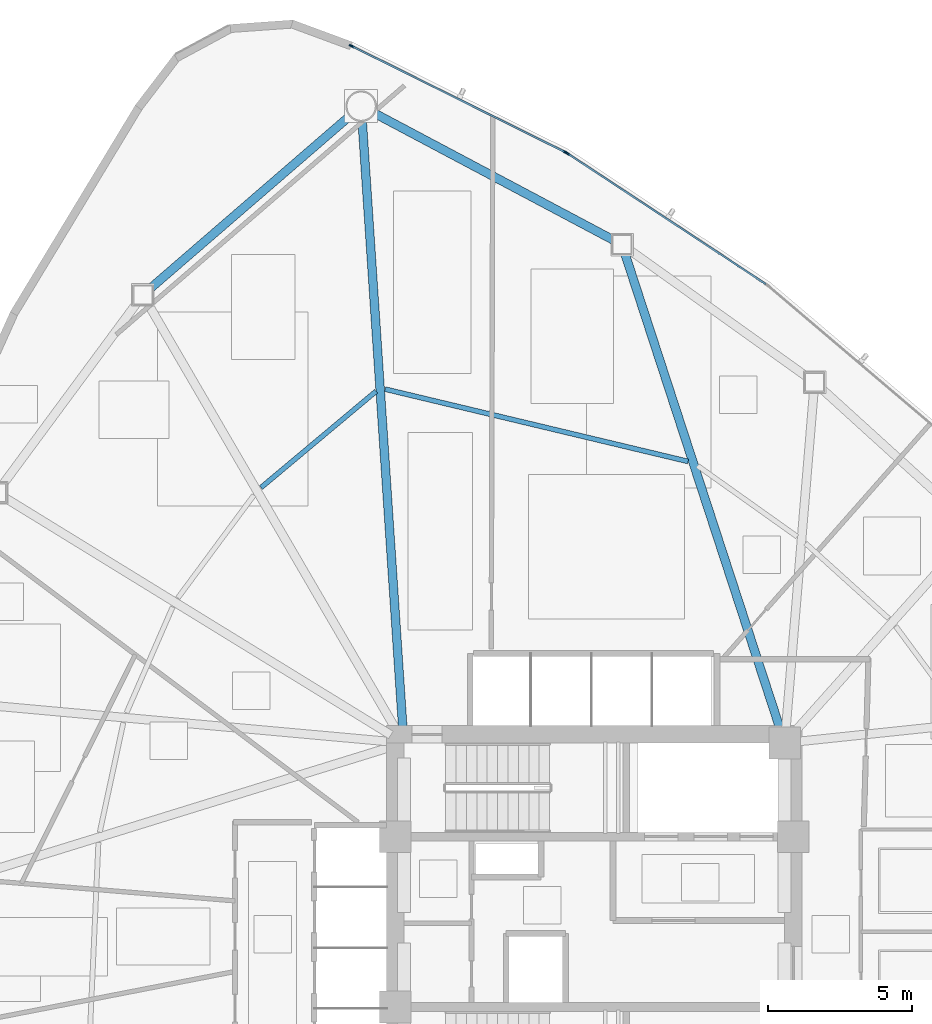
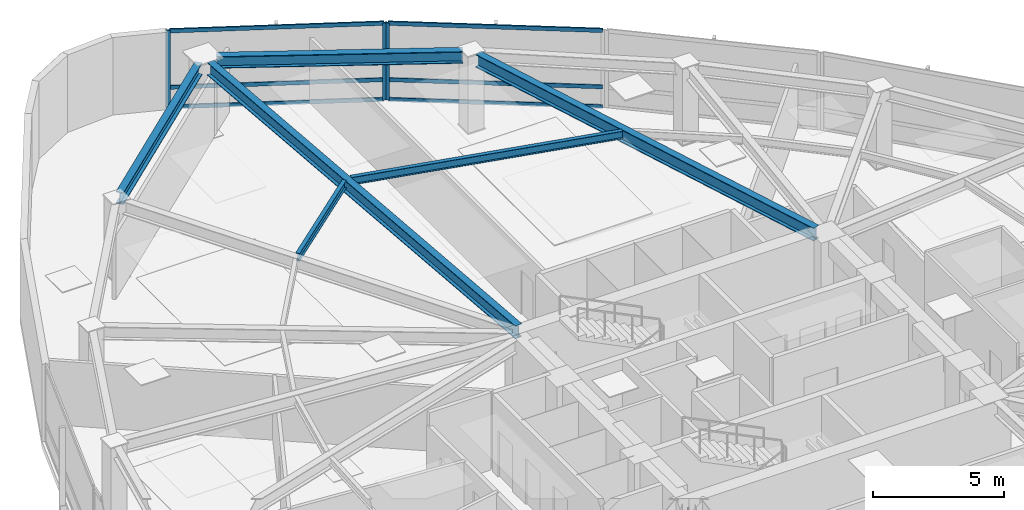
# One storey, part 8 of 17: 9 members, 6 beams, 2 elements without a shape of their own.
"""IFC4 building model written with IfcOpenShell, lengths in metres."""

import ifcopenshell
import ifcopenshell.guid

model = None  # the IFC model being written
_history = None  # IfcOwnerHistory: only IFC2X3 demands one
_inside = {}  # id of a spatial element -> (the spatial element, [elements in it])
_under = {}  # id of a project, library or spatial element -> (it, [spatial elements below it])
_declared = {}  # id of a project -> (the project, [libraries it declares])
_typed = {}  # id of a type object -> (the type object, [elements of that type])
_made_of = {}  # id of a material, layer set ... -> (it, [elements and type objects made of it])


def new_model(schema):
    """Start an empty IFC model of exactly this schema.

    Asked for "IFC4X3", IfcOpenShell would pick the latest addendum, in which some entities
    have other attributes; the version numbers below select the first issue.
    IFC2X3 requires an IfcOwnerHistory on every rooted entity: one is made here for all.
    """
    global model, _history
    if schema == "IFC4X3":
        model = ifcopenshell.file(schema_version=(4, 3, 0, 0))
    else:
        model = ifcopenshell.file(schema=schema)
    _inside.clear()
    _under.clear()
    _declared.clear()
    _typed.clear()
    _made_of.clear()
    _history = None
    if model.schema == "IFC2X3":
        org = make("IfcOrganization", Name="unknown")
        user = make(
            "IfcPersonAndOrganization",
            ThePerson=make("IfcPerson", FamilyName="unknown"),
            TheOrganization=org,
        )
        app = make(
            "IfcApplication",
            ApplicationDeveloper=org,
            Version="unknown",
            ApplicationFullName="unknown",
            ApplicationIdentifier="unknown",
        )
        _history = make(
            "IfcOwnerHistory",
            OwningUser=user,
            OwningApplication=app,
            ChangeAction="ADDED",
            CreationDate=0,
        )
    return model


def make(cls, **values):
    """One entity of the class cls with the attributes given. An attribute that is None is left unset."""
    return model.create_entity(
        cls, **{name: value for name, value in values.items() if value is not None}
    )


def rooted(cls, **values):
    """An entity with a GlobalId (a new one), such as an element, a storey or a relation."""
    return make(cls, GlobalId=ifcopenshell.guid.new(), OwnerHistory=_history, **values)


def si_unit(unit_type, name, prefix=None):
    """IfcSIUnit, for example si_unit("LENGTHUNIT", "METRE", prefix="MILLI")."""
    return make("IfcSIUnit", UnitType=unit_type, Prefix=prefix, Name=name)


def assignment(units):
    """IfcUnitAssignment: the units of a project."""
    return None if units is None else make("IfcUnitAssignment", Units=units)


def point(xyz):
    """IfcCartesianPoint."""
    return None if xyz is None else make("IfcCartesianPoint", Coordinates=xyz)


def direction(xyz):
    """IfcDirection."""
    return None if xyz is None else make("IfcDirection", DirectionRatios=xyz)


def frame(location, z_axis=None, x_axis=None):
    """IfcAxis2Placement3D, a coordinate frame: its origin and axes. An axis left out is left unset."""
    return make(
        "IfcAxis2Placement3D",
        Location=point(location),
        Axis=direction(z_axis),
        RefDirection=direction(x_axis),
    )


def frame_2d(location, x_axis=None):
    """IfcAxis2Placement2D, a coordinate frame in the plane: its origin and x axis."""
    return make(
        "IfcAxis2Placement2D", Location=point(location), RefDirection=direction(x_axis)
    )


def origin():
    """The frame at (0, 0, 0) with its axes left unset."""
    return frame((0.0, 0.0, 0.0))


def origin_2d():
    """The frame at (0, 0) in the plane with its x axis left unset."""
    return frame_2d((0.0, 0.0))


def place(relative_to, where):
    """IfcLocalPlacement: puts the frame where relative to a parent placement (None: the world)."""
    return make(
        "IfcLocalPlacement", PlacementRelTo=relative_to, RelativePlacement=where
    )


def context(
    kind, dimensions, precision=None, world=None, true_north=None, identifier=None
):
    """IfcGeometricRepresentationContext, for example the 3D "Model" context."""
    return make(
        "IfcGeometricRepresentationContext",
        ContextIdentifier=identifier,
        ContextType=kind,
        CoordinateSpaceDimension=dimensions,
        Precision=precision,
        WorldCoordinateSystem=world,
        TrueNorth=true_north,
    )


def subcontext(parent, identifier, kind, view, scale=None):
    """IfcGeometricRepresentationSubContext, for example "Body" below "Model"."""
    return make(
        "IfcGeometricRepresentationSubContext",
        ContextIdentifier=identifier,
        ContextType=kind,
        ParentContext=parent,
        TargetScale=scale,
        TargetView=view,
    )


def project(units=None, contexts=None):
    """IfcProject with its units and contexts."""
    return rooted(
        "IfcProject",
        Name="project",
        RepresentationContexts=contexts,
        UnitsInContext=assignment(units),
    )


def spatial(cls, under=None, at=None, **own):
    """A site, building, storey or space (cls), placed at a placement, below another one or the project."""
    s = rooted(cls, ObjectPlacement=at, **own)
    if under is not None:
        _under.setdefault(under.id(), (under, []))[1].append(s)
    return s


def profile(cls, at=None, kind="AREA", **sizes):
    """A parametric profile (cls). Its sizes go by their IFC names, for example OverallWidth=200.0."""
    return make(cls, ProfileType=kind, Position=at, **sizes)


def hollow_rectangle(**sizes):
    """IfcRectangleHollowProfileDef."""
    return profile("IfcRectangleHollowProfileDef", **sizes)


def i_section(**sizes):
    """IfcIShapeProfileDef."""
    return profile("IfcIShapeProfileDef", **sizes)


def extrude(swept, where, along, depth):
    """IfcExtrudedAreaSolid: the profile swept, set in the frame where, extruded along a direction by depth."""
    return make(
        "IfcExtrudedAreaSolid",
        SweptArea=swept,
        Position=where,
        ExtrudedDirection=direction(along),
        Depth=depth,
    )


def shape(context_of_items, identifier, shape_type, items):
    """IfcShapeRepresentation: the items that make up one representation, for example the "Body"."""
    return make(
        "IfcShapeRepresentation",
        ContextOfItems=context_of_items,
        RepresentationIdentifier=identifier,
        RepresentationType=shape_type,
        Items=items,
    )


def source(mapping_origin, context_of_items, identifier, shape_type, items):
    """IfcRepresentationMap: a shape defined once, which mapped items show again and again."""
    return make(
        "IfcRepresentationMap",
        MappingOrigin=mapping_origin,
        MappedRepresentation=shape(context_of_items, identifier, shape_type, items),
    )


def transform(
    local_origin,
    x_axis=None,
    y_axis=None,
    z_axis=None,
    scale=None,
    scale2=None,
    scale3=None,
    uniform=True,
):
    """IfcCartesianTransformationOperator3D, or its non-uniform kind. x_axis, y_axis, z_axis: its Axis1, 2, 3."""
    if uniform:
        return make(
            "IfcCartesianTransformationOperator3D",
            Axis1=direction(x_axis),
            Axis2=direction(y_axis),
            LocalOrigin=point(local_origin),
            Scale=scale,
            Axis3=direction(z_axis),
        )
    return make(
        "IfcCartesianTransformationOperator3DnonUniform",
        Axis1=direction(x_axis),
        Axis2=direction(y_axis),
        LocalOrigin=point(local_origin),
        Scale=scale,
        Axis3=direction(z_axis),
        Scale2=scale2,
        Scale3=scale3,
    )


def mapped(mapping_source, mapping_target):
    """IfcMappedItem: shows the shape of a source again, moved by a transform."""
    return make(
        "IfcMappedItem", MappingSource=mapping_source, MappingTarget=mapping_target
    )


def material(Name=None, Category=None):
    """IfcMaterial."""
    return make("IfcMaterial", Name=Name, Category=Category)


def layer(
    of_material, thickness, ventilated=None, Name=None, Category=None, Priority=None
):
    """IfcMaterialLayer: one layer of a wall or slab, of a material (None: an air gap)."""
    return make(
        "IfcMaterialLayer",
        Material=of_material,
        LayerThickness=thickness,
        IsVentilated=ventilated,
        Name=Name,
        Category=Category,
        Priority=Priority,
    )


def layer_set(layers, Name=None):
    """IfcMaterialLayerSet."""
    return make("IfcMaterialLayerSet", MaterialLayers=layers, LayerSetName=Name)


def material_profile(
    of_material, cross_section, Name=None, Category=None, Priority=None
):
    """IfcMaterialProfile: a cross section and its material."""
    return make(
        "IfcMaterialProfile",
        Name=Name,
        Material=of_material,
        Profile=cross_section,
        Priority=Priority,
        Category=Category,
    )


def profile_set(profiles, Name=None, composite=None):
    """IfcMaterialProfileSet."""
    return make(
        "IfcMaterialProfileSet",
        Name=Name,
        MaterialProfiles=profiles,
        CompositeProfile=composite,
    )


def made_of(thing, what):
    """Note that an element or type object is made of a material, layer set ...; save() writes the relation."""
    if what is not None:
        _made_of.setdefault(what.id(), (what, []))[1].append(thing)
    return thing


def type_object(cls, material=None, **own):
    """A type object (cls), such as IfcWallType, which elements share."""
    return made_of(rooted(cls, **own), material)


def type_shapes(of_type, sources):
    """Give a type object the sources (RepresentationMaps) that its elements show as mapped items."""
    of_type.RepresentationMaps = sources


def element(
    cls,
    number,
    at=None,
    inside=None,
    cuts=None,
    type_object=None,
    material=None,
    context=None,
    identifier="Body",
    shape_type=None,
    held_by="IfcProductDefinitionShape",
    body=None,
    shapes=None,
    **own,
):
    """One element of the class cls, such as IfcWall. Its Tag is "e" and its number.

    at: its placement. inside: the storey or other place that contains it. cuts: it is an
    opening in that element (IfcRelVoidsElement). A single representation is given by context,
    identifier, shape_type and body (its items); several are given by shapes. held_by: the class
    of the entity that holds the representations. save() writes the other relations.
    """
    e = rooted(cls, Tag="e%d" % number, ObjectPlacement=at, **own)
    if body is not None:
        shapes = [shape(context, identifier, shape_type, body)]
    if shapes is not None:
        e.Representation = make(held_by, Representations=shapes)
    if inside is not None:
        _inside.setdefault(inside.id(), (inside, []))[1].append(e)
    if cuts is not None:
        rooted(
            "IfcRelVoidsElement", RelatingBuildingElement=cuts, RelatedOpeningElement=e
        )
    if type_object is not None:
        _typed.setdefault(type_object.id(), (type_object, []))[1].append(e)
    return made_of(e, material)


def aggregate(whole, parts):
    """IfcRelAggregates: a whole, such as a stair, and the parts it consists of."""
    return rooted("IfcRelAggregates", RelatingObject=whole, RelatedObjects=parts)


def save(model, path):
    """Write the relations noted so far, then the file.

    IfcRelAggregates (storeys below a building ...), IfcRelContainedInSpatialStructure (elements
    in a storey), IfcRelDefinesByType, IfcRelAssociatesMaterial and IfcRelDeclares: one each for
    every whole, place, type object, material and project.
    """
    for whole, parts in _under.values():
        aggregate(whole, parts)
    for where, things in _inside.values():
        rooted(
            "IfcRelContainedInSpatialStructure",
            RelatedElements=things,
            RelatingStructure=where,
        )
    for kind, things in _typed.values():
        rooted("IfcRelDefinesByType", RelatedObjects=things, RelatingType=kind)
    for what, things in _made_of.values():
        rooted("IfcRelAssociatesMaterial", RelatedObjects=things, RelatingMaterial=what)
    for by, libraries in _declared.values():
        rooted("IfcRelDeclares", RelatingContext=by, RelatedDefinitions=libraries)
    model.write(path)


model = new_model("IFC4")

# Units and contexts
model_context = context("Model", 3, precision=1e-05, world=origin(), true_north=direction((0.0, 1.0)))
body_context = subcontext(model_context, "Body", "Model", "MODEL_VIEW")
ifc_project = project(units=[si_unit("LENGTHUNIT", "METRE"), si_unit("AREAUNIT", "SQUARE_METRE"), si_unit("VOLUMEUNIT", "CUBIC_METRE"), si_unit("PLANEANGLEUNIT", "RADIAN"), si_unit("MASSUNIT", "GRAM", prefix="KILO")], contexts=[model_context])

# Site, building, storey
site_placement = place(None, origin())
site = spatial("IfcSite", under=ifc_project, at=site_placement, CompositionType="ELEMENT")
building_placement = place(site_placement, origin())
building = spatial("IfcBuilding", under=site, at=building_placement, Name="Tavelor Broadcast Tower", CompositionType="ELEMENT")
storey_placement = place(building_placement, frame((0.0, 0.0, 93.89990234375)))
storey = spatial("IfcBuildingStorey", under=building, at=storey_placement, Name="L22", CompositionType="ELEMENT", Elevation=93.89990234375)

# Beams
ifc_material_1 = material(Name="Steel S355", Category="steel")
ifc_material_profile_1 = material_profile(ifc_material_1, i_section(OverallWidth=0.169921875, OverallDepth=0.360107421875, WebThickness=0.008056640625, FlangeThickness=0.0126953125, at=origin_2d()), Name="IPE 360")
ifc_profile_set_1 = profile_set([ifc_material_profile_1], Name="Steel S355")
beam_type_1 = type_object("IfcBeamType", Name="Composite Floor Joist T2 IPE 360", PredefinedType="JOIST", material=ifc_profile_set_1)
beam_1_placement = place(storey_placement, frame((42.437744140625, 63.38671875, 3.420166015625), z_axis=(-0.766764124222, -0.641928950746, 0.0), x_axis=(0.641928950746, -0.766764124222, 0.0)))
element("IfcBeam", 1, at=beam_1_placement, inside=storey, type_object=beam_type_1, Name="L22 Secondary Composite Floor Joist 01", PredefinedType="JOIST", context=body_context, shape_type="SweptSolid", body=[
    extrude(i_section(OverallWidth=0.169921875, OverallDepth=0.360107421875, WebThickness=0.008056640625, FlangeThickness=0.0126953125, at=origin_2d()), origin(), (0.0, 0.0, 1.0), 5.1982421875),
])
beam_2_placement = place(storey_placement, frame((53.252685546875, 60.954345703125, 3.420166015625), z_axis=(-0.97267356202, 0.232176962139, 0.0), x_axis=(-0.232176962139, -0.97267356202, 0.0)))
element("IfcBeam", 2, at=beam_2_placement, inside=storey, type_object=beam_type_1, Name="L22 Secondary Composite Floor Joist 18", PredefinedType="JOIST", context=body_context, shape_type="SweptSolid", body=[
    extrude(i_section(OverallWidth=0.169921875, OverallDepth=0.360107421875, WebThickness=0.008056640625, FlangeThickness=0.0126953125, at=origin_2d()), origin(), (0.0, 0.0, 1.0), 10.794921875),
])
ifc_material_profile_2 = material_profile(ifc_material_1, i_section(OverallWidth=0.300048828125, OverallDepth=0.550048828125, WebThickness=0.014892578125, FlangeThickness=0.029052734375, at=origin_2d()), Name="HEB 550")
ifc_profile_set_2 = profile_set([ifc_material_profile_2], Name="Steel S355")
beam_type_2 = type_object("IfcBeamType", Name="Perimeter Spandrel Beam T2 HEB 550", PredefinedType="SPANDREL", material=ifc_profile_set_2)
beam_3_placement = place(storey_placement, frame((41.535400390625, 72.931396484375, 3.3251953125), z_axis=(-0.756652037371, -0.653817783746, 0.0), x_axis=(0.653817783746, -0.756652037371, 0.0)))
element("IfcBeam", 3, at=beam_3_placement, inside=storey, type_object=beam_type_2, Name="L22 Framed-Tube Ring Spandrel 01", PredefinedType="SPANDREL", context=body_context, shape_type="SweptSolid", body=[
    extrude(i_section(OverallWidth=0.300048828125, OverallDepth=0.550048828125, WebThickness=0.014892578125, FlangeThickness=0.029052734375, at=origin_2d()), origin(), (0.0, 0.0, 1.0), 9.15234375),
])
beam_4_placement = place(storey_placement, frame((50.6650390625, 68.626220703125, 3.3251953125), z_axis=(-0.883288784051, 0.468829312192, 0.0), x_axis=(-0.468829312192, -0.883288784051, 0.0)))
element("IfcBeam", 4, at=beam_4_placement, inside=storey, type_object=beam_type_2, Name="L22 Framed-Tube Ring Spandrel 18", PredefinedType="SPANDREL", context=body_context, shape_type="SweptSolid", body=[
    extrude(i_section(OverallWidth=0.300048828125, OverallDepth=0.550048828125, WebThickness=0.014892578125, FlangeThickness=0.029052734375, at=origin_2d()), origin(), (0.0, 0.0, 1.0), 9.384765625),
])
ifc_material_profile_3 = material_profile(ifc_material_1, i_section(OverallWidth=0.300048828125, OverallDepth=0.60009765625, WebThickness=0.015380859375, FlangeThickness=0.030029296875, at=origin_2d()), Name="HEB 600")
ifc_profile_set_3 = profile_set([ifc_material_profile_3], Name="Steel S355")
beam_type_3 = type_object("IfcBeamType", Name="Radial Floor Girder T2 HEB 600", PredefinedType="BEAM", material=ifc_profile_set_3)
beam_5_placement = place(storey_placement, frame((43.36474609375, 51.726806640625, 3.300048828125), z_axis=(-0.066782727419, 0.997767541724, 0.0), x_axis=(-0.997767541724, -0.066782727419, 0.0)))
element("IfcBeam", 5, at=beam_5_placement, inside=storey, type_object=beam_type_3, Name="L22 Radial Primary Floor Girder 01", PredefinedType="BEAM", context=body_context, shape_type="SweptSolid", body=[
    extrude(i_section(OverallWidth=0.300048828125, OverallDepth=0.60009765625, WebThickness=0.015380859375, FlangeThickness=0.030029296875, at=origin_2d()), origin(), (0.0, 0.0, 1.0), 21.075439453125),
])
beam_6_placement = place(storey_placement, frame((56.43603515625, 51.701904296875, 3.300048828125), z_axis=(-0.310367170997, 0.950616757251, 0.0), x_axis=(-0.950616757251, -0.310367170997, 0.0)))
element("IfcBeam", 6, at=beam_6_placement, inside=storey, type_object=beam_type_3, Name="L22 Radial Primary Floor Girder 18", PredefinedType="BEAM", context=body_context, shape_type="SweptSolid", body=[
    extrude(i_section(OverallWidth=0.300048828125, OverallDepth=0.60009765625, WebThickness=0.015380859375, FlangeThickness=0.030029296875, at=origin_2d()), origin(), (0.0, 0.0, 1.0), 17.3017578125),
])

# Curtain wall, member
ifc_material_2 = material(Name="Architectural Anodized Aluminium", Category="aluminium")
ifc_layer = layer(ifc_material_2, 0.179931640625)
ifc_layer_set = layer_set([ifc_layer], Name="Architectural Anodized Aluminium")
curtain_wall_type = type_object("IfcCurtainWallType", Name="Tower Low-Zone Unitised Curtain Wall CW02", PredefinedType="NOTDEFINED", material=ifc_layer_set)
curtain_wall_1_placement = place(storey_placement, origin())
curtain_wall_1 = element("IfcCurtainWall", 7, at=curtain_wall_1_placement, inside=storey, type_object=curtain_wall_type, Name="L22 Curtain Wall CW02 Run 227", PredefinedType="NOTDEFINED")
ifc_material_profile_4 = material_profile(ifc_material_2, hollow_rectangle(XDim=0.06494140625, YDim=0.179931640625, WallThickness=0.02197265625, at=origin_2d()), Name="RHS 65x180x22")
ifc_profile_set_4 = profile_set([ifc_material_profile_4], Name="Architectural Anodized Aluminium")
member_type_1 = type_object("IfcMemberType", Name="CW02 Extruded Aluminium Mullion 65x180", PredefinedType="MULLION", material=ifc_profile_set_4)
shared_shape_1 = source(origin(), body_context, "Body", "SweptSolid", [
    extrude(hollow_rectangle(XDim=0.06494140625, YDim=0.179931640625, WallThickness=0.02197265625, at=origin_2d()), origin(), (0.0, 0.0, 1.0), 3.60009765625),
])
type_shapes(member_type_1, [shared_shape_1])
member_1_placement = place(storey_placement, frame((49.078369140625, 71.62353515625, 0.0), z_axis=(0.0, 0.0, 1.0), x_axis=(-0.550110838645, -0.835091650782, 0.0)))
member_1 = element("IfcMember", 8, at=member_1_placement, type_object=member_type_1, Name="CW02 mullion 2", PredefinedType="MULLION", context=body_context, shape_type="MappedRepresentation", body=[
    mapped(shared_shape_1, transform((0.0, 0.0, 0.0), scale=1.0)),
])

# Curtain wall, members
curtain_wall_2_placement = place(storey_placement, origin())
curtain_wall_2 = element("IfcCurtainWall", 9, at=curtain_wall_2_placement, inside=storey, type_object=curtain_wall_type, Name="L22 Curtain Wall CW02 Run 228", PredefinedType="NOTDEFINED")
member_2_placement = place(storey_placement, frame((48.996337890625, 71.670654296875, 0.0), z_axis=(0.0, 0.0, 1.0), x_axis=(-0.445008915229, -0.895526138852, 0.0)))
member_2 = element("IfcMember", 10, at=member_2_placement, type_object=member_type_1, Name="CW02 mullion 1", PredefinedType="MULLION", context=body_context, shape_type="MappedRepresentation", body=[
    mapped(shared_shape_1, transform((0.0, 0.0, 0.0), scale=1.0)),
])
member_3_placement = place(storey_placement, frame((41.59228515625, 75.35009765625, 0.0), z_axis=(0.0, 0.0, 1.0), x_axis=(-0.445008915229, -0.895526138852, 0.0)))
member_3 = element("IfcMember", 11, at=member_3_placement, type_object=member_type_1, Name="CW02 mullion 2", PredefinedType="MULLION", context=body_context, shape_type="MappedRepresentation", body=[
    mapped(shared_shape_1, transform((0.0, 0.0, 0.0), scale=1.0)),
])

# Member
ifc_material_profile_5 = material_profile(ifc_material_2, hollow_rectangle(XDim=0.06494140625, YDim=0.179931640625, WallThickness=0.02197265625, at=origin_2d()), Name="RHS 65x180x22")
ifc_profile_set_5 = profile_set([ifc_material_profile_5], Name="Architectural Anodized Aluminium")
member_type_2 = type_object("IfcMemberType", Name="CW02 Extruded Aluminium Transom 65x180", PredefinedType="USERDEFINED", material=ifc_profile_set_5)
shared_shape_2 = source(origin(), body_context, "Body", "SweptSolid", [
    extrude(hollow_rectangle(XDim=0.06494140625, YDim=0.179931640625, WallThickness=0.02197265625, at=origin_2d()), origin(), (0.0, 0.0, 1.0), 8.187255859375),
])
member_4_placement = place(storey_placement, frame((55.942626953125, 67.101806640625, 0.03271484375), z_axis=(-0.835093016618, 0.550108765241, 0.0), x_axis=(-0.550108765241, -0.835093016618, 0.0)))
member_4 = element("IfcMember", 12, at=member_4_placement, type_object=member_type_2, Name="CW02 transom 1.1", ObjectType="TRANSOM", PredefinedType="USERDEFINED", context=body_context, shape_type="MappedRepresentation", body=[
    mapped(shared_shape_2, transform((0.0, 0.0, 0.0), scale=1.0)),
])

member_5_placement = place(storey_placement, frame((55.942626953125, 67.101806640625, 0.9501953125), z_axis=(-0.835093016618, 0.550108765241, 0.0), x_axis=(-0.550108765241, -0.835093016618, 0.0)))
member_5 = element("IfcMember", 13, at=member_5_placement, type_object=member_type_2, Name="CW02 transom 1.2", ObjectType="TRANSOM", PredefinedType="USERDEFINED", context=body_context, shape_type="MappedRepresentation", body=[
    mapped(shared_shape_2, transform((0.0, 0.0, 0.0), scale=1.0)),
])

member_6_placement = place(storey_placement, frame((55.942626953125, 67.101806640625, 3.567626953125), z_axis=(-0.835093016618, 0.550108765241, 0.0), x_axis=(-0.550108765241, -0.835093016618, 0.0)))
member_6 = element("IfcMember", 14, at=member_6_placement, type_object=member_type_2, Name="CW02 transom 1.3", ObjectType="TRANSOM", PredefinedType="USERDEFINED", context=body_context, shape_type="MappedRepresentation", body=[
    mapped(shared_shape_2, transform((0.0, 0.0, 0.0), scale=1.0)),
])

aggregate(curtain_wall_1, [member_1, member_4, member_5, member_6])

shared_shape_3 = source(origin(), body_context, "Body", "SweptSolid", [
    extrude(hollow_rectangle(XDim=0.06494140625, YDim=0.179931640625, WallThickness=0.02197265625, at=origin_2d()), origin(), (0.0, 0.0, 1.0), 8.202880859375),
])
type_shapes(member_type_2, [shared_shape_2, shared_shape_3])
member_7_placement = place(storey_placement, frame((48.96728515625, 71.685302734375, 0.03271484375), z_axis=(-0.895525694127, 0.445009810183, 0.0), x_axis=(-0.445009810183, -0.895525694127, 0.0)))
member_7 = element("IfcMember", 15, at=member_7_placement, type_object=member_type_2, Name="CW02 transom 1.1", ObjectType="TRANSOM", PredefinedType="USERDEFINED", context=body_context, shape_type="MappedRepresentation", body=[
    mapped(shared_shape_3, transform((0.0, 0.0, 0.0), scale=1.0)),
])

member_8_placement = place(storey_placement, frame((48.96728515625, 71.685302734375, 0.9501953125), z_axis=(-0.895525694127, 0.445009810183, 0.0), x_axis=(-0.445009810183, -0.895525694127, 0.0)))
member_8 = element("IfcMember", 16, at=member_8_placement, type_object=member_type_2, Name="CW02 transom 1.2", ObjectType="TRANSOM", PredefinedType="USERDEFINED", context=body_context, shape_type="MappedRepresentation", body=[
    mapped(shared_shape_3, transform((0.0, 0.0, 0.0), scale=1.0)),
])

member_9_placement = place(storey_placement, frame((48.96728515625, 71.685302734375, 3.567626953125), z_axis=(-0.895525694127, 0.445009810183, 0.0), x_axis=(-0.445009810183, -0.895525694127, 0.0)))
member_9 = element("IfcMember", 17, at=member_9_placement, type_object=member_type_2, Name="CW02 transom 1.3", ObjectType="TRANSOM", PredefinedType="USERDEFINED", context=body_context, shape_type="MappedRepresentation", body=[
    mapped(shared_shape_3, transform((0.0, 0.0, 0.0), scale=1.0)),
])

aggregate(curtain_wall_2, [member_2, member_3, member_7, member_8, member_9])

save(model, "model.ifc")
